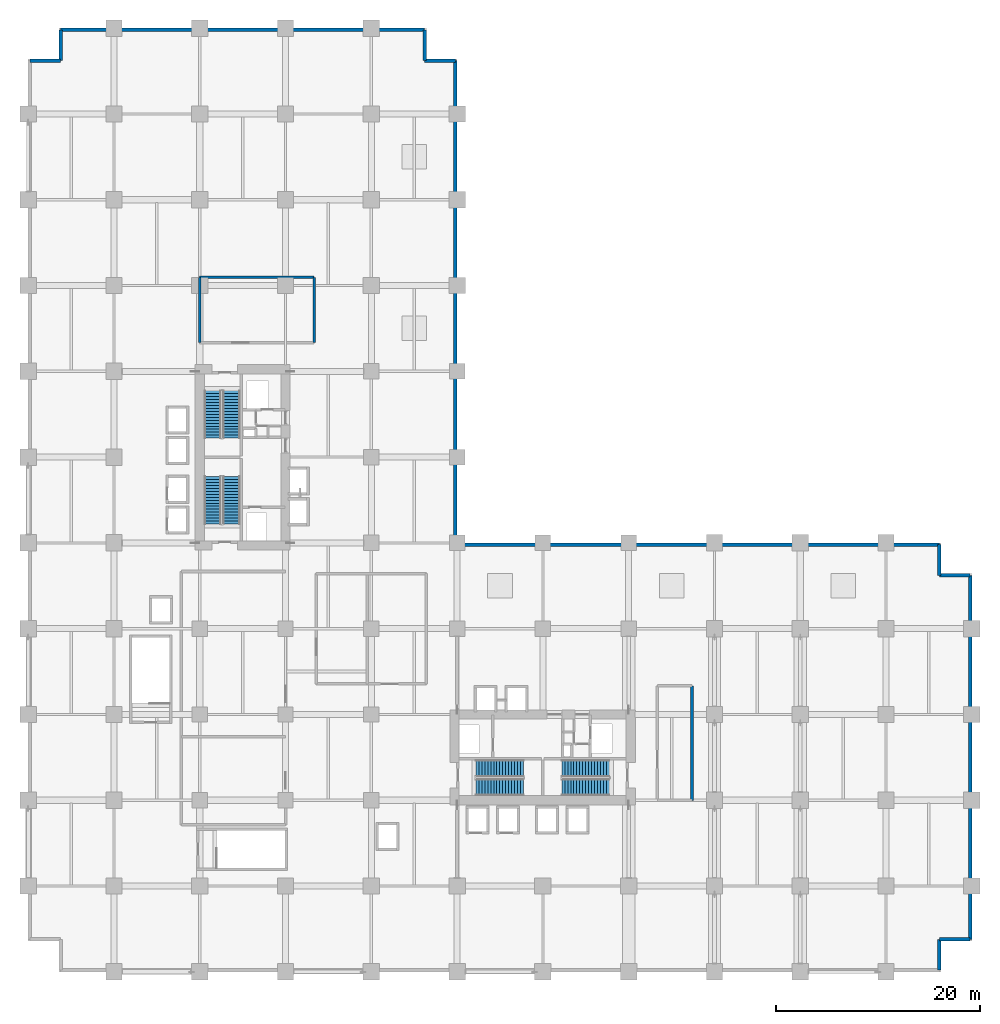
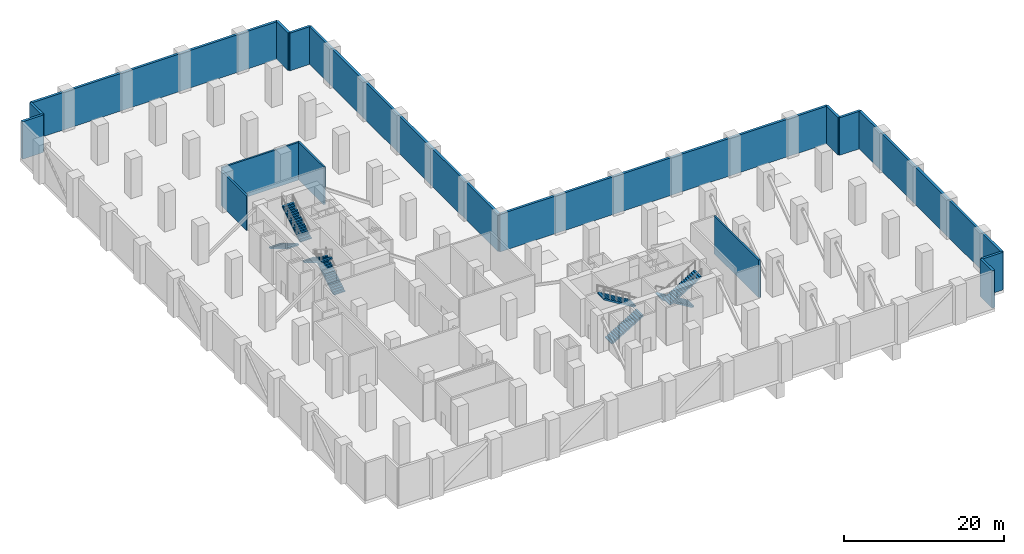
# One storey, part 17 of 20: 16 walls, 8 stair flights, 4 elements without a shape of their own.
"""IFC4 building model written with IfcOpenShell, lengths in metres."""

from ifc_helpers import new_model, si_unit, direction, frame, frame_2d, origin, place, context, subcontext, project, spatial, polyline, rectangle, outline, extrude, material, layer, layer_set, type_object, element, aggregate, save


model = new_model("IFC4")

# Units and contexts
model_context = context("Model", 3, precision=1e-05, world=origin(), true_north=direction((0.0, 1.0)))
body_context = subcontext(model_context, "Body", "Model", "MODEL_VIEW")
ifc_project = project(units=[si_unit("LENGTHUNIT", "METRE"), si_unit("AREAUNIT", "SQUARE_METRE"), si_unit("VOLUMEUNIT", "CUBIC_METRE"), si_unit("PLANEANGLEUNIT", "RADIAN"), si_unit("MASSUNIT", "GRAM", prefix="KILO")], contexts=[model_context])

# Site, building, storey
site_placement = place(None, origin())
site = spatial("IfcSite", under=ifc_project, at=site_placement, CompositionType="ELEMENT")
building_placement = place(site_placement, origin())
building = spatial("IfcBuilding", under=site, at=building_placement, Name="Koriwani Terraces Tower", CompositionType="ELEMENT")
storey_placement = place(building_placement, frame((0.0, 0.0, 26.0)))
storey = spatial("IfcBuildingStorey", under=building, at=storey_placement, Name="L05", CompositionType="ELEMENT", Elevation=26.0)

# Walls
ifc_material_1 = material(Name="Concrete C50/60", Category="concrete")
ifc_layer_1 = layer(ifc_material_1, 0.35009765625, Name="Concrete C50/60")
ifc_layer_set_1 = layer_set([ifc_layer_1], Name="Concrete C50/60")
wall_type_1 = type_object("IfcWallType", Name="WALL_EXT_BRUTALIST_350", PredefinedType="STANDARD", material=ifc_layer_set_1)
for number, where, z_axis, x_axis, name in (
    (1, (0.175048828125, 89.22509765625, 0.0), (0.0, 0.0, 1.0), (1.0, 0.0, 0.0), "L05 Fair-Faced Brutalist Exterior Wall (N3)"),
    (2, (3.175048828125, 89.22509765625, 0.0), (0.0, 0.0, 1.0), (0.0, 1.0, 0.0), "L05 Fair-Faced Brutalist Exterior Wall (N4)"),
):
    element("IfcWall", number, at=place(storey_placement, frame(where, z_axis=z_axis, x_axis=x_axis)), inside=storey, type_object=wall_type_1, Name=name, PredefinedType="STANDARD", context=body_context, shape_type="SweptSolid", body=[
        extrude(rectangle(XDim=3.0, YDim=0.35009765625, at=frame_2d((1.5, 0.0))), origin(), (0.0, 0.0, 1.0), 5.75),
    ])
wall_1_placement = place(storey_placement, frame((3.175048828125, 92.22509765625, 0.0), z_axis=(0.0, 0.0, 1.0), x_axis=(1.0, 0.0, 0.0)))
element("IfcWall", 3, at=wall_1_placement, inside=storey, type_object=wall_type_1, Name="L05 Fair-Faced Brutalist Exterior Wall (N_TIP)", PredefinedType="STANDARD", context=body_context, shape_type="SweptSolid", body=[
    extrude(rectangle(XDim=35.64990234375, YDim=0.35009765625, at=frame_2d((17.824951171875, 0.0))), origin(), (0.0, 0.0, 1.0), 5.75),
])
for number, where, z_axis, x_axis, name in (
    (4, (38.824951171875, 92.22509765625, 0.0), (0.0, 0.0, 1.0), (0.0, -1.0, 0.0), "L05 Fair-Faced Brutalist Exterior Wall (N6)"),
    (5, (38.824951171875, 89.22509765625, 0.0), (0.0, 0.0, 1.0), (1.0, 0.0, 0.0), "L05 Fair-Faced Brutalist Exterior Wall (N7)"),
):
    element("IfcWall", number, at=place(storey_placement, frame(where, z_axis=z_axis, x_axis=x_axis)), inside=storey, type_object=wall_type_1, Name=name, PredefinedType="STANDARD", context=body_context, shape_type="SweptSolid", body=[
        extrude(rectangle(XDim=3.0, YDim=0.35009765625, at=frame_2d((1.5, 0.0))), origin(), (0.0, 0.0, 1.0), 5.75),
    ])
for number, where, z_axis, x_axis, name in (
    (6, (41.824951171875, 89.22509765625, 0.0), (0.0, 0.0, 1.0), (0.0, -1.0, 0.0), "L05 Fair-Faced Brutalist Exterior Wall (NW_IN)"),
    (7, (41.824951171875, 41.824951171875, 0.0), (0.0, 0.0, 1.0), (1.0, 0.0, 0.0), "L05 Fair-Faced Brutalist Exterior Wall (NE)"),
):
    element("IfcWall", number, at=place(storey_placement, frame(where, z_axis=z_axis, x_axis=x_axis)), inside=storey, type_object=wall_type_1, Name=name, PredefinedType="STANDARD", context=body_context, shape_type="SweptSolid", body=[
        extrude(rectangle(XDim=47.400146484375, YDim=0.35009765625, at=frame_2d((23.7001953125, 0.0))), origin(), (0.0, 0.0, 1.0), 5.75),
    ])
for number, where, z_axis, x_axis, name in (
    (8, (89.22509765625, 41.824951171875, 0.0), (0.0, 0.0, 1.0), (0.0, -1.0, 0.0), "L05 Fair-Faced Brutalist Exterior Wall (N10)"),
    (9, (89.22509765625, 38.824951171875, 0.0), (0.0, 0.0, 1.0), (1.0, 0.0, 0.0), "L05 Fair-Faced Brutalist Exterior Wall (N11)"),
):
    element("IfcWall", number, at=place(storey_placement, frame(where, z_axis=z_axis, x_axis=x_axis)), inside=storey, type_object=wall_type_1, Name=name, PredefinedType="STANDARD", context=body_context, shape_type="SweptSolid", body=[
        extrude(rectangle(XDim=3.0, YDim=0.35009765625, at=frame_2d((1.5, 0.0))), origin(), (0.0, 0.0, 1.0), 5.75),
    ])
wall_2_placement = place(storey_placement, frame((92.22509765625, 38.824951171875, 0.0), z_axis=(0.0, 0.0, 1.0), x_axis=(0.0, -1.0, 0.0)))
element("IfcWall", 10, at=wall_2_placement, inside=storey, type_object=wall_type_1, Name="L05 Fair-Faced Brutalist Exterior Wall (E_TIP)", PredefinedType="STANDARD", context=body_context, shape_type="SweptSolid", body=[
    extrude(rectangle(XDim=35.64990234375, YDim=0.35009765625, at=frame_2d((17.824951171875, 0.0))), origin(), (0.0, 0.0, 1.0), 5.75),
])
for number, where, z_axis, x_axis, name in (
    (11, (92.22509765625, 3.175048828125, 0.0), (0.0, 0.0, 1.0), (-1.0, 0.0, 0.0), "L05 Fair-Faced Brutalist Exterior Wall (N13)"),
    (12, (89.22509765625, 3.175048828125, 0.0), (0.0, 0.0, 1.0), (0.0, -1.0, 0.0), "L05 Fair-Faced Brutalist Exterior Wall (N14)"),
):
    element("IfcWall", number, at=place(storey_placement, frame(where, z_axis=z_axis, x_axis=x_axis)), inside=storey, type_object=wall_type_1, Name=name, PredefinedType="STANDARD", context=body_context, shape_type="SweptSolid", body=[
        extrude(rectangle(XDim=3.0, YDim=0.35009765625, at=frame_2d((1.5, 0.0))), origin(), (0.0, 0.0, 1.0), 5.75),
    ])
ifc_material_2 = material(Name="Concrete C40/50", Category="concrete")
ifc_layer_2 = layer(ifc_material_2, 0.25, Name="Concrete C40/50")
ifc_layer_set_2 = layer_set([ifc_layer_2], Name="Concrete C40/50")
wall_type_2 = type_object("IfcWallType", Name="WALL_SHAFT_RATED_250", PredefinedType="SOLIDWALL", material=ifc_layer_set_2)
wall_3_placement = place(storey_placement, frame((16.800048828125, 68.0, 0.0), z_axis=(0.0, 0.0, 1.0), x_axis=(1.0, 0.0, 0.0)))
element("IfcWall", 13, at=wall_3_placement, inside=storey, type_object=wall_type_2, Name="L05 Interior Wall WREF-W2-L05", PredefinedType="SOLIDWALL", context=body_context, shape_type="SweptSolid", body=[
    extrude(rectangle(XDim=11.199951171875, YDim=0.25, at=frame_2d((5.60009765625, 0.0))), origin(), (0.0, 0.0, 1.0), 5.75),
])
wall_4_placement = place(storey_placement, frame((16.800048828125, 61.60009765625, 0.0), z_axis=(0.0, 0.0, 1.0), x_axis=(0.0, 1.0, 0.0)))
element("IfcWall", 14, at=wall_4_placement, inside=storey, type_object=wall_type_2, Name="L05 Interior Wall WREF-W3-L05", PredefinedType="SOLIDWALL", context=body_context, shape_type="SweptSolid", body=[
    extrude(rectangle(XDim=6.39990234375, YDim=0.25, at=frame_2d((3.199951171875, 0.0))), origin(), (0.0, 0.0, 1.0), 5.287109375),
])
wall_5_placement = place(storey_placement, frame((28.0, 61.60009765625, 0.0), z_axis=(0.0, 0.0, 1.0), x_axis=(0.0, 1.0, 0.0)))
element("IfcWall", 15, at=wall_5_placement, inside=storey, type_object=wall_type_2, Name="L05 Interior Wall WREF-W4-L05", PredefinedType="SOLIDWALL", context=body_context, shape_type="SweptSolid", body=[
    extrude(rectangle(XDim=6.39990234375, YDim=0.25, at=frame_2d((3.199951171875, 0.0))), origin(), (0.0, 0.0, 1.0), 5.75),
])
wall_6_placement = place(storey_placement, frame((65.0, 16.800048828125, 0.0), z_axis=(0.0, 0.0, 1.0), x_axis=(0.0, 1.0, 0.0)))
element("IfcWall", 16, at=wall_6_placement, inside=storey, type_object=wall_type_2, Name="L05 Interior Wall WREF-E2-L05", PredefinedType="SOLIDWALL", context=body_context, shape_type="SweptSolid", body=[
    extrude(rectangle(XDim=11.199951171875, YDim=0.25, at=frame_2d((5.60009765625, 0.0))), origin(), (0.0, 0.0, 1.0), 5.75),
])

# Stair, stair flights
stair_type = type_object("IfcStairType", Name="STAIR_CORE_DOGLEG_1650", PredefinedType="TWO_STRAIGHT_RUN_STAIR", material=ifc_material_2)
stair_1_placement = place(storey_placement, origin())
stair_1 = element("IfcStair", 17, at=stair_1_placement, inside=storey, type_object=stair_type, Name="L05 West Core Exit Stair 1", PredefinedType="HALF_TURN_STAIR")
stair_flight_type = type_object("IfcStairFlightType", Name="STAIR_FLIGHT_RC_1650", PredefinedType="STRAIGHT", material=ifc_material_2)
stair_flight_1_placement = place(storey_placement, frame((19.925048828125, 43.85009765625, 0.0), z_axis=(0.0, 0.0, 1.0), x_axis=(0.0, 1.0, 0.0)))
stair_flight_1 = element("IfcStairFlight", 18, at=stair_flight_1_placement, type_object=stair_flight_type, Name="ST-W1 flight 1", NumberOfRisers=17, NumberOfTreads=16, PredefinedType="STRAIGHT", RiserHeight=0.176470588, TreadLength=0.29, context=body_context, shape_type="SweptSolid", body=[
    extrude(outline(polyline([(0.0, 0.0), (0.0, 0.176513671875), (0.2900390625, 0.176513671875), (0.2900390625, 0.35302734375), (0.580078125, 0.35302734375), (0.580078125, 0.529296875), (0.8701171875, 0.529296875), (0.8701171875, 0.705810546875), (1.159912109375, 0.705810546875), (1.159912109375, 0.88232421875), (1.449951171875, 0.88232421875), (1.449951171875, 1.058837890625), (1.739990234375, 1.058837890625), (1.739990234375, 1.2353515625), (2.030029296875, 1.2353515625), (2.030029296875, 1.411865234375), (2.320068359375, 1.411865234375), (2.320068359375, 1.588134765625), (2.610107421875, 1.588134765625), (2.610107421875, 1.7646484375), (2.89990234375, 1.7646484375), (2.89990234375, 1.941162109375), (3.18994140625, 1.941162109375), (3.18994140625, 2.11767578125), (3.47998046875, 2.11767578125), (3.47998046875, 2.294189453125), (3.77001953125, 2.294189453125), (3.77001953125, 2.470703125), (4.06005859375, 2.470703125), (4.06005859375, 2.64697265625), (4.35009765625, 2.64697265625), (4.35009765625, 2.823486328125), (4.639892578125, 2.823486328125), (4.639892578125, 3.0), (4.639892578125, 2.61279296875), (0.34619140625, 0.0), (0.0, 0.0)])), frame((0.0, 0.824951171875, 0.0), z_axis=(0.0, -1.0, 0.0), x_axis=(1.0, 0.0, 0.0)), (0.0, 0.0, 1.0), 1.64990234375),
])
stair_flight_2_placement = place(storey_placement, frame((18.074951171875, 48.489990234375, 3.0), z_axis=(0.0, 0.0, 1.0), x_axis=(0.0, -1.0, 0.0)))
stair_flight_2 = element("IfcStairFlight", 19, at=stair_flight_2_placement, type_object=stair_flight_type, Name="ST-W1 flight 2", NumberOfRisers=17, NumberOfTreads=16, PredefinedType="STRAIGHT", RiserHeight=0.176470588, TreadLength=0.29, context=body_context, shape_type="SweptSolid", body=[
    extrude(outline(polyline([(0.0, 0.0), (0.0, 0.176513671875), (0.2900390625, 0.176513671875), (0.2900390625, 0.35302734375), (0.580078125, 0.35302734375), (0.580078125, 0.529296875), (0.8701171875, 0.529296875), (0.8701171875, 0.705810546875), (1.159912109375, 0.705810546875), (1.159912109375, 0.88232421875), (1.449951171875, 0.88232421875), (1.449951171875, 1.058837890625), (1.739990234375, 1.058837890625), (1.739990234375, 1.2353515625), (2.030029296875, 1.2353515625), (2.030029296875, 1.411865234375), (2.320068359375, 1.411865234375), (2.320068359375, 1.588134765625), (2.610107421875, 1.588134765625), (2.610107421875, 1.7646484375), (2.89990234375, 1.7646484375), (2.89990234375, 1.941162109375), (3.18994140625, 1.941162109375), (3.18994140625, 2.11767578125), (3.47998046875, 2.11767578125), (3.47998046875, 2.294189453125), (3.77001953125, 2.294189453125), (3.77001953125, 2.470703125), (4.06005859375, 2.470703125), (4.06005859375, 2.64697265625), (4.35009765625, 2.64697265625), (4.35009765625, 2.823486328125), (4.639892578125, 2.823486328125), (4.639892578125, 3.0), (4.639892578125, 2.61279296875), (0.34619140625, 0.0), (0.0, 0.0)])), frame((0.0, 0.824951171875, 0.0), z_axis=(0.0, -1.0, 0.0), x_axis=(1.0, 0.0, 0.0)), (0.0, 0.0, 1.0), 1.64990234375),
])
aggregate(stair_1, [stair_flight_1, stair_flight_2])

stair_2_placement = place(storey_placement, origin())
stair_2 = element("IfcStair", 20, at=stair_2_placement, inside=storey, type_object=stair_type, Name="L05 West Core Exit Stair 2", PredefinedType="HALF_TURN_STAIR")
stair_flight_3_placement = place(storey_placement, frame((18.074951171875, 56.89990234375, 0.0), z_axis=(0.0, 0.0, 1.0), x_axis=(0.0, -1.0, 0.0)))
stair_flight_3 = element("IfcStairFlight", 21, at=stair_flight_3_placement, type_object=stair_flight_type, Name="ST-W2 flight 1", NumberOfRisers=17, NumberOfTreads=16, PredefinedType="STRAIGHT", RiserHeight=0.176470588, TreadLength=0.29, context=body_context, shape_type="SweptSolid", body=[
    extrude(outline(polyline([(0.0, 0.0), (0.0, 0.176513671875), (0.2900390625, 0.176513671875), (0.2900390625, 0.35302734375), (0.580078125, 0.35302734375), (0.580078125, 0.529296875), (0.8701171875, 0.529296875), (0.8701171875, 0.705810546875), (1.159912109375, 0.705810546875), (1.159912109375, 0.88232421875), (1.449951171875, 0.88232421875), (1.449951171875, 1.058837890625), (1.739990234375, 1.058837890625), (1.739990234375, 1.2353515625), (2.030029296875, 1.2353515625), (2.030029296875, 1.411865234375), (2.320068359375, 1.411865234375), (2.320068359375, 1.588134765625), (2.610107421875, 1.588134765625), (2.610107421875, 1.7646484375), (2.89990234375, 1.7646484375), (2.89990234375, 1.941162109375), (3.18994140625, 1.941162109375), (3.18994140625, 2.11767578125), (3.47998046875, 2.11767578125), (3.47998046875, 2.294189453125), (3.77001953125, 2.294189453125), (3.77001953125, 2.470703125), (4.06005859375, 2.470703125), (4.06005859375, 2.64697265625), (4.35009765625, 2.64697265625), (4.35009765625, 2.823486328125), (4.639892578125, 2.823486328125), (4.639892578125, 3.0), (4.639892578125, 2.61279296875), (0.34619140625, 0.0), (0.0, 0.0)])), frame((0.0, 0.824951171875, 0.0), z_axis=(0.0, -1.0, 0.0), x_axis=(1.0, 0.0, 0.0)), (0.0, 0.0, 1.0), 1.64990234375),
])
stair_flight_4_placement = place(storey_placement, frame((19.925048828125, 52.260009765625, 3.0), z_axis=(0.0, 0.0, 1.0), x_axis=(0.0, 1.0, 0.0)))
stair_flight_4 = element("IfcStairFlight", 22, at=stair_flight_4_placement, type_object=stair_flight_type, Name="ST-W2 flight 2", NumberOfRisers=17, NumberOfTreads=16, PredefinedType="STRAIGHT", RiserHeight=0.176470588, TreadLength=0.29, context=body_context, shape_type="SweptSolid", body=[
    extrude(outline(polyline([(0.0, 0.0), (0.0, 0.176513671875), (0.2900390625, 0.176513671875), (0.2900390625, 0.35302734375), (0.580078125, 0.35302734375), (0.580078125, 0.529296875), (0.8701171875, 0.529296875), (0.8701171875, 0.705810546875), (1.159912109375, 0.705810546875), (1.159912109375, 0.88232421875), (1.449951171875, 0.88232421875), (1.449951171875, 1.058837890625), (1.739990234375, 1.058837890625), (1.739990234375, 1.2353515625), (2.030029296875, 1.2353515625), (2.030029296875, 1.411865234375), (2.320068359375, 1.411865234375), (2.320068359375, 1.588134765625), (2.610107421875, 1.588134765625), (2.610107421875, 1.7646484375), (2.89990234375, 1.7646484375), (2.89990234375, 1.941162109375), (3.18994140625, 1.941162109375), (3.18994140625, 2.11767578125), (3.47998046875, 2.11767578125), (3.47998046875, 2.294189453125), (3.77001953125, 2.294189453125), (3.77001953125, 2.470703125), (4.06005859375, 2.470703125), (4.06005859375, 2.64697265625), (4.35009765625, 2.64697265625), (4.35009765625, 2.823486328125), (4.639892578125, 2.823486328125), (4.639892578125, 3.0), (4.639892578125, 2.61279296875), (0.34619140625, 0.0), (0.0, 0.0)])), frame((0.0, 0.824951171875, 0.0), z_axis=(0.0, -1.0, 0.0), x_axis=(1.0, 0.0, 0.0)), (0.0, 0.0, 1.0), 1.64990234375),
])
aggregate(stair_2, [stair_flight_3, stair_flight_4])

stair_3_placement = place(storey_placement, origin())
stair_3 = element("IfcStair", 23, at=stair_3_placement, inside=storey, type_object=stair_type, Name="L05 East Core Exit Stair 1", PredefinedType="HALF_TURN_STAIR")
stair_flight_5_placement = place(storey_placement, frame((43.85009765625, 18.074951171875, 0.0), z_axis=(0.0, 0.0, 1.0), x_axis=(1.0, 0.0, 0.0)))
stair_flight_5 = element("IfcStairFlight", 24, at=stair_flight_5_placement, type_object=stair_flight_type, Name="ST-E1 flight 1", NumberOfRisers=17, NumberOfTreads=16, PredefinedType="STRAIGHT", RiserHeight=0.176470588, TreadLength=0.29, context=body_context, shape_type="SweptSolid", body=[
    extrude(outline(polyline([(0.0, 0.0), (0.0, 0.176513671875), (0.2900390625, 0.176513671875), (0.2900390625, 0.35302734375), (0.580078125, 0.35302734375), (0.580078125, 0.529296875), (0.8701171875, 0.529296875), (0.8701171875, 0.705810546875), (1.159912109375, 0.705810546875), (1.159912109375, 0.88232421875), (1.449951171875, 0.88232421875), (1.449951171875, 1.058837890625), (1.739990234375, 1.058837890625), (1.739990234375, 1.2353515625), (2.030029296875, 1.2353515625), (2.030029296875, 1.411865234375), (2.320068359375, 1.411865234375), (2.320068359375, 1.588134765625), (2.610107421875, 1.588134765625), (2.610107421875, 1.7646484375), (2.89990234375, 1.7646484375), (2.89990234375, 1.941162109375), (3.18994140625, 1.941162109375), (3.18994140625, 2.11767578125), (3.47998046875, 2.11767578125), (3.47998046875, 2.294189453125), (3.77001953125, 2.294189453125), (3.77001953125, 2.470703125), (4.06005859375, 2.470703125), (4.06005859375, 2.64697265625), (4.35009765625, 2.64697265625), (4.35009765625, 2.823486328125), (4.639892578125, 2.823486328125), (4.639892578125, 3.0), (4.639892578125, 2.61279296875), (0.34619140625, 0.0), (0.0, 0.0)])), frame((0.0, 0.824951171875, 0.0), z_axis=(0.0, -1.0, 0.0), x_axis=(1.0, 0.0, 0.0)), (0.0, 0.0, 1.0), 1.64990234375),
])
stair_flight_6_placement = place(storey_placement, frame((48.489990234375, 19.925048828125, 3.0), z_axis=(0.0, 0.0, 1.0), x_axis=(-1.0, 0.0, 0.0)))
stair_flight_6 = element("IfcStairFlight", 25, at=stair_flight_6_placement, type_object=stair_flight_type, Name="ST-E1 flight 2", NumberOfRisers=17, NumberOfTreads=16, PredefinedType="STRAIGHT", RiserHeight=0.176470588, TreadLength=0.29, context=body_context, shape_type="SweptSolid", body=[
    extrude(outline(polyline([(0.0, 0.0), (0.0, 0.176513671875), (0.2900390625, 0.176513671875), (0.2900390625, 0.35302734375), (0.580078125, 0.35302734375), (0.580078125, 0.529296875), (0.8701171875, 0.529296875), (0.8701171875, 0.705810546875), (1.159912109375, 0.705810546875), (1.159912109375, 0.88232421875), (1.449951171875, 0.88232421875), (1.449951171875, 1.058837890625), (1.739990234375, 1.058837890625), (1.739990234375, 1.2353515625), (2.030029296875, 1.2353515625), (2.030029296875, 1.411865234375), (2.320068359375, 1.411865234375), (2.320068359375, 1.588134765625), (2.610107421875, 1.588134765625), (2.610107421875, 1.7646484375), (2.89990234375, 1.7646484375), (2.89990234375, 1.941162109375), (3.18994140625, 1.941162109375), (3.18994140625, 2.11767578125), (3.47998046875, 2.11767578125), (3.47998046875, 2.294189453125), (3.77001953125, 2.294189453125), (3.77001953125, 2.470703125), (4.06005859375, 2.470703125), (4.06005859375, 2.64697265625), (4.35009765625, 2.64697265625), (4.35009765625, 2.823486328125), (4.639892578125, 2.823486328125), (4.639892578125, 3.0), (4.639892578125, 2.61279296875), (0.34619140625, 0.0), (0.0, 0.0)])), frame((0.0, 0.824951171875, 0.0), z_axis=(0.0, -1.0, 0.0), x_axis=(1.0, 0.0, 0.0)), (0.0, 0.0, 1.0), 1.64990234375),
])
aggregate(stair_3, [stair_flight_5, stair_flight_6])

stair_4_placement = place(storey_placement, origin())
stair_4 = element("IfcStair", 26, at=stair_4_placement, inside=storey, type_object=stair_type, Name="L05 East Core Exit Stair 2", PredefinedType="HALF_TURN_STAIR")
stair_flight_7_placement = place(storey_placement, frame((56.89990234375, 19.925048828125, 0.0), z_axis=(0.0, 0.0, 1.0), x_axis=(-1.0, 0.0, 0.0)))
stair_flight_7 = element("IfcStairFlight", 27, at=stair_flight_7_placement, type_object=stair_flight_type, Name="ST-E2 flight 1", NumberOfRisers=17, NumberOfTreads=16, PredefinedType="STRAIGHT", RiserHeight=0.176470588, TreadLength=0.29, context=body_context, shape_type="SweptSolid", body=[
    extrude(outline(polyline([(0.0, 0.0), (0.0, 0.176513671875), (0.2900390625, 0.176513671875), (0.2900390625, 0.35302734375), (0.580078125, 0.35302734375), (0.580078125, 0.529296875), (0.8701171875, 0.529296875), (0.8701171875, 0.705810546875), (1.159912109375, 0.705810546875), (1.159912109375, 0.88232421875), (1.449951171875, 0.88232421875), (1.449951171875, 1.058837890625), (1.739990234375, 1.058837890625), (1.739990234375, 1.2353515625), (2.030029296875, 1.2353515625), (2.030029296875, 1.411865234375), (2.320068359375, 1.411865234375), (2.320068359375, 1.588134765625), (2.610107421875, 1.588134765625), (2.610107421875, 1.7646484375), (2.89990234375, 1.7646484375), (2.89990234375, 1.941162109375), (3.18994140625, 1.941162109375), (3.18994140625, 2.11767578125), (3.47998046875, 2.11767578125), (3.47998046875, 2.294189453125), (3.77001953125, 2.294189453125), (3.77001953125, 2.470703125), (4.06005859375, 2.470703125), (4.06005859375, 2.64697265625), (4.35009765625, 2.64697265625), (4.35009765625, 2.823486328125), (4.639892578125, 2.823486328125), (4.639892578125, 3.0), (4.639892578125, 2.61279296875), (0.34619140625, 0.0), (0.0, 0.0)])), frame((0.0, 0.824951171875, 0.0), z_axis=(0.0, -1.0, 0.0), x_axis=(1.0, 0.0, 0.0)), (0.0, 0.0, 1.0), 1.64990234375),
])
stair_flight_8_placement = place(storey_placement, frame((52.260009765625, 18.074951171875, 3.0), z_axis=(0.0, 0.0, 1.0), x_axis=(1.0, 0.0, 0.0)))
stair_flight_8 = element("IfcStairFlight", 28, at=stair_flight_8_placement, type_object=stair_flight_type, Name="ST-E2 flight 2", NumberOfRisers=17, NumberOfTreads=16, PredefinedType="STRAIGHT", RiserHeight=0.176470588, TreadLength=0.29, context=body_context, shape_type="SweptSolid", body=[
    extrude(outline(polyline([(0.0, 0.0), (0.0, 0.176513671875), (0.2900390625, 0.176513671875), (0.2900390625, 0.35302734375), (0.580078125, 0.35302734375), (0.580078125, 0.529296875), (0.8701171875, 0.529296875), (0.8701171875, 0.705810546875), (1.159912109375, 0.705810546875), (1.159912109375, 0.88232421875), (1.449951171875, 0.88232421875), (1.449951171875, 1.058837890625), (1.739990234375, 1.058837890625), (1.739990234375, 1.2353515625), (2.030029296875, 1.2353515625), (2.030029296875, 1.411865234375), (2.320068359375, 1.411865234375), (2.320068359375, 1.588134765625), (2.610107421875, 1.588134765625), (2.610107421875, 1.7646484375), (2.89990234375, 1.7646484375), (2.89990234375, 1.941162109375), (3.18994140625, 1.941162109375), (3.18994140625, 2.11767578125), (3.47998046875, 2.11767578125), (3.47998046875, 2.294189453125), (3.77001953125, 2.294189453125), (3.77001953125, 2.470703125), (4.06005859375, 2.470703125), (4.06005859375, 2.64697265625), (4.35009765625, 2.64697265625), (4.35009765625, 2.823486328125), (4.639892578125, 2.823486328125), (4.639892578125, 3.0), (4.639892578125, 2.61279296875), (0.34619140625, 0.0), (0.0, 0.0)])), frame((0.0, 0.824951171875, 0.0), z_axis=(0.0, -1.0, 0.0), x_axis=(1.0, 0.0, 0.0)), (0.0, 0.0, 1.0), 1.64990234375),
])
aggregate(stair_4, [stair_flight_7, stair_flight_8])

save(model, "model.ifc")
